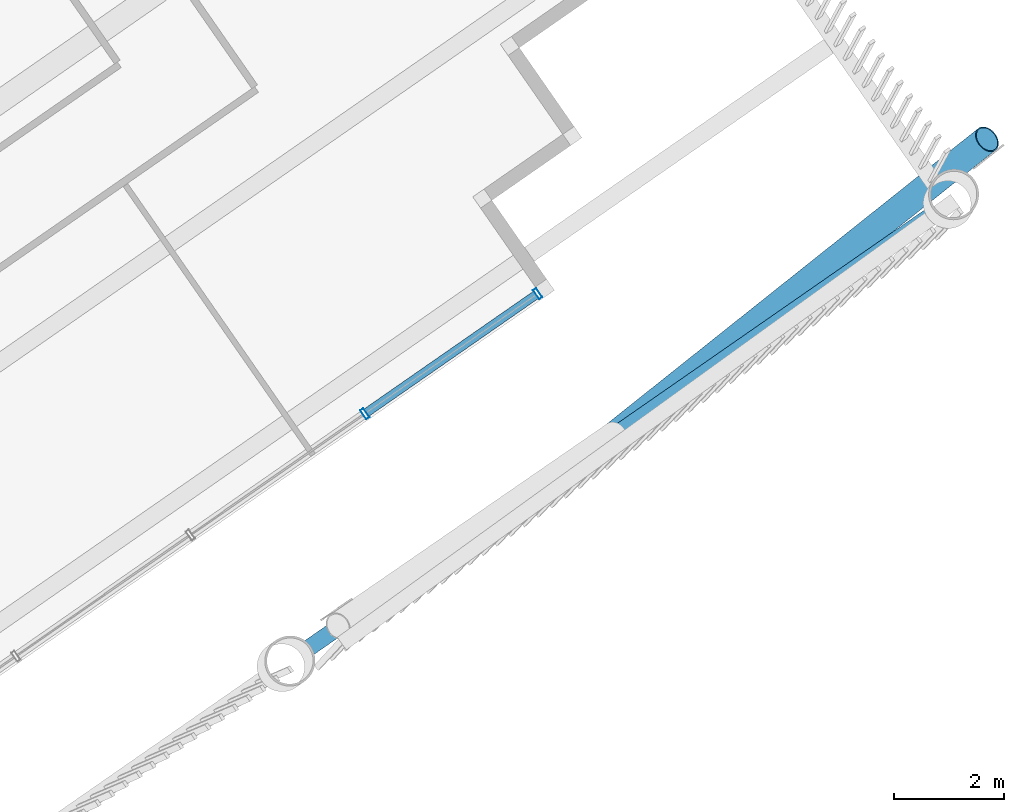
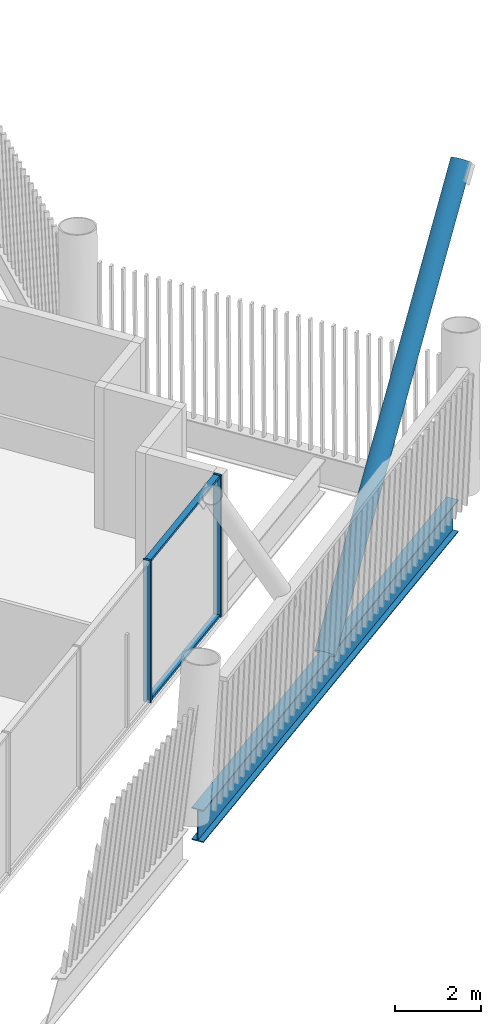
# One storey, part 15 of 33: 5 members, 1 beam, 1 element without a shape of its own.
"""IFC4 building model written with IfcOpenShell, lengths in metres."""

from ifc_helpers import new_model, si_unit, direction, frame, origin, origin_2d, place, context, subcontext, project, spatial, hollow_rectangle, hollow_circle, i_section, extrude, material, layer, layer_set, material_profile, profile_set, type_object, element, aggregate, save


model = new_model("IFC4")

# Units and contexts
model_context = context("Model", 3, precision=1e-05, world=origin(), true_north=direction((0.0, 1.0)))
body_context = subcontext(model_context, "Body", "Model", "MODEL_VIEW")
ifc_project = project(units=[si_unit("LENGTHUNIT", "METRE"), si_unit("AREAUNIT", "SQUARE_METRE"), si_unit("VOLUMEUNIT", "CUBIC_METRE"), si_unit("PLANEANGLEUNIT", "RADIAN"), si_unit("MASSUNIT", "GRAM", prefix="KILO")], contexts=[model_context])

# Site, building, storey
site_placement = place(None, origin())
site = spatial("IfcSite", under=ifc_project, at=site_placement, CompositionType="ELEMENT")
building_placement = place(site_placement, origin())
building = spatial("IfcBuilding", under=site, at=building_placement, Name="Tarsis Ring Headquarters", CompositionType="ELEMENT")
storey_placement = place(building_placement, frame((0.0, 0.0, 369.199951171875)))
storey = spatial("IfcBuildingStorey", under=building, at=storey_placement, Name="L87", CompositionType="ELEMENT", Elevation=369.199951171875)

# Curtain wall, members
ifc_material_1 = material(Name="Aluminium curtain wall", Category="aluminium")
ifc_layer = layer(ifc_material_1, 0.199951171875)
ifc_layer_set = layer_set([ifc_layer], Name="Curtain wall executive tip")
curtain_wall_type = type_object("IfcCurtainWallType", Name="Curtain wall executive tip", PredefinedType="NOTDEFINED", material=ifc_layer_set)
curtain_wall_placement = place(storey_placement, origin())
curtain_wall = element("IfcCurtainWall", 1, at=curtain_wall_placement, inside=storey, type_object=curtain_wall_type, Name="Curtain wall L87-11", PredefinedType="NOTDEFINED")
ifc_material_2 = material(Name="Aluminium mullion", Category="aluminium")
ifc_material_profile_1 = material_profile(ifc_material_2, hollow_rectangle(XDim=0.199951171875, YDim=0.070068359375, WallThickness=0.0048828125, at=origin_2d()), Name="RHS 200x70x5")
ifc_profile_set_1 = profile_set([ifc_material_profile_1], Name="Aluminium mullion")
member_type_1 = type_object("IfcMemberType", Name="Curtain wall mullion executive tip RHS 200x70x5", PredefinedType="MULLION", material=ifc_profile_set_1)
member_1_placement = place(storey_placement, frame((21.37353515625, -23.962646484375, 0.0), z_axis=(0.0, 0.0, 1.0), x_axis=(-0.57071354686, 0.821149223607, 0.0)))
member_1 = element("IfcMember", 2, at=member_1_placement, type_object=member_type_1, Name="CW-E mullion 4", PredefinedType="MULLION", context=body_context, shape_type="SweptSolid", body=[
    extrude(hollow_rectangle(XDim=0.199951171875, YDim=0.070068359375, WallThickness=0.0048828125, at=origin_2d()), origin(), (0.0, 0.0, 1.0), 4.0400390625),
])
member_2_placement = place(storey_placement, frame((24.526611328125, -21.77099609375, 0.0), z_axis=(0.0, 0.0, 1.0), x_axis=(-0.57071354686, 0.821149223607, 0.0)))
member_2 = element("IfcMember", 3, at=member_2_placement, type_object=member_type_1, Name="CW-E mullion 5", PredefinedType="MULLION", context=body_context, shape_type="SweptSolid", body=[
    extrude(hollow_rectangle(XDim=0.199951171875, YDim=0.070068359375, WallThickness=0.0048828125, at=origin_2d()), origin(), (0.0, 0.0, 1.0), 4.0400390625),
])
ifc_material_3 = material(Name="Aluminium transom", Category="aluminium")
ifc_material_profile_2 = material_profile(ifc_material_3, hollow_rectangle(XDim=0.159912109375, YDim=0.070068359375, WallThickness=0.0048828125, at=origin_2d()), Name="RHS 160x70x5")
ifc_profile_set_2 = profile_set([ifc_material_profile_2], Name="Aluminium transom")
member_type_2 = type_object("IfcMemberType", Name="Curtain wall transom executive tip RHS 160x70x5", PredefinedType="USERDEFINED", material=ifc_profile_set_2)
member_3_placement = place(storey_placement, frame((21.402099609375, -23.942626953125, 0.03515625), z_axis=(0.821144037012, 0.570721009321, 0.0), x_axis=(-0.570721009321, 0.821144037012, 0.0)))
member_3 = element("IfcMember", 4, at=member_3_placement, type_object=member_type_2, Name="CW-E transom 4.1", ObjectType="TRANSOM", PredefinedType="USERDEFINED", context=body_context, shape_type="SweptSolid", body=[
    extrude(hollow_rectangle(XDim=0.159912109375, YDim=0.070068359375, WallThickness=0.0048828125, at=origin_2d()), origin(), (0.0, 0.0, 1.0), 3.77001953125),
])
member_4_placement = place(storey_placement, frame((21.402099609375, -23.942626953125, 4.005126953125), z_axis=(0.821144037012, 0.570721009321, 0.0), x_axis=(-0.570721009321, 0.821144037012, 0.0)))
member_4 = element("IfcMember", 5, at=member_4_placement, type_object=member_type_2, Name="CW-E transom 4.2", ObjectType="TRANSOM", PredefinedType="USERDEFINED", context=body_context, shape_type="SweptSolid", body=[
    extrude(hollow_rectangle(XDim=0.159912109375, YDim=0.070068359375, WallThickness=0.0048828125, at=origin_2d()), origin(), (0.0, 0.0, 1.0), 3.77001953125),
])
aggregate(curtain_wall, [member_1, member_2, member_3, member_4])

# Member
ifc_material_4 = material(Name="Structural steel S355", Category="steel")
ifc_material_profile_3 = material_profile(ifc_material_4, hollow_circle(Radius=0.25390625, WallThickness=0.02001953125, at=origin_2d()), Name="CHS 508x20")
ifc_profile_set_3 = profile_set([ifc_material_profile_3], Name="Structural steel S355")
member_type_3 = type_object("IfcMemberType", Name="XD X brace CHS 508x20", PredefinedType="BRACE", material=ifc_profile_set_3)
member_5_placement = place(storey_placement, frame((25.937255859375, -24.352783203125, 0.0), z_axis=(0.562091950574, 0.447149849298, 0.695779887157), x_axis=(-0.622550214616, 0.78257985553, 0.0)))
element("IfcMember", 6, at=member_5_placement, inside=storey, type_object=member_type_3, Name="X brace XD2", PredefinedType="BRACE", context=body_context, shape_type="SweptSolid", body=[
    extrude(hollow_circle(Radius=0.25390625, WallThickness=0.02001953125, at=origin_2d()), origin(), (0.0, 0.0, 1.0), 12.072998046875),
])

# Beam
ifc_material_profile_4 = material_profile(ifc_material_4, i_section(OverallWidth=0.3046875, OverallDepth=0.91943359375, WebThickness=0.017333984375, FlangeThickness=0.02783203125, at=origin_2d()), Name="W36x170")
ifc_profile_set_4 = profile_set([ifc_material_profile_4], Name="Structural steel S355")
beam_type = type_object("IfcBeamType", Name="XG Ring girder W36x170", PredefinedType="BEAM", material=ifc_profile_set_4)
beam_placement = place(storey_placement, frame((20.19873046875, -28.341064453125, -0.459716796875), z_axis=(0.821153270606, 0.570707723948, 0.0), x_axis=(-0.570707723948, 0.821153270606, 0.0)))
element("IfcBeam", 7, at=beam_placement, inside=storey, type_object=beam_type, Name="Ring girder XG4", PredefinedType="BEAM", context=body_context, shape_type="SweptSolid", body=[
    extrude(i_section(OverallWidth=0.3046875, OverallDepth=0.91943359375, WebThickness=0.017333984375, FlangeThickness=0.02783203125, at=origin_2d()), origin(), (0.0, 0.0, 1.0), 13.97705078125),
])

save(model, "model.ifc")
